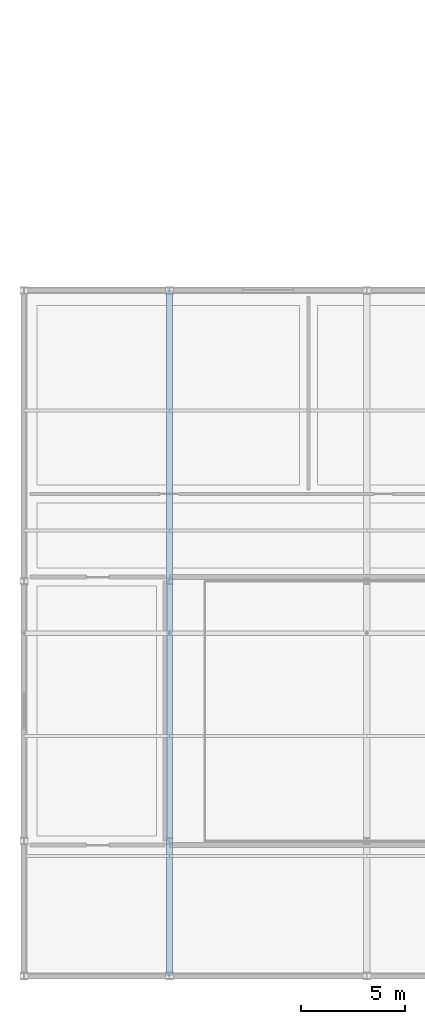
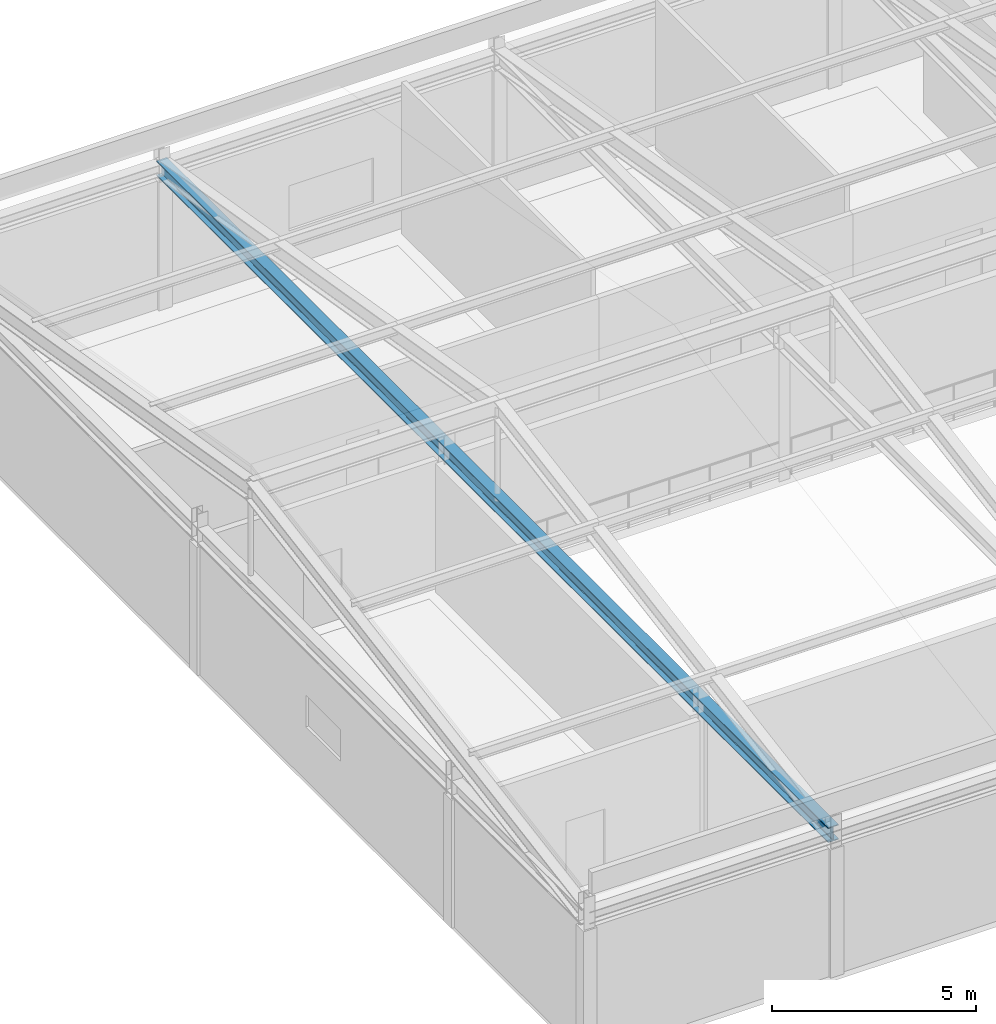
# One storey, part 18 of 108: 1 beam.
"""IFC4 building model written with IfcOpenShell, lengths in metres."""

from ifc_helpers import new_model, si_unit, direction, frame, origin, origin_2d, place, context, subcontext, project, spatial, i_section, extrude, material, material_profile, profile_set, type_object, element, save


model = new_model("IFC4")

# Units and contexts
model_context = context("Model", 3, precision=1e-05, world=origin(), true_north=direction((0.0, 1.0)))
body_context = subcontext(model_context, "Body", "Model", "MODEL_VIEW")
ifc_project = project(units=[si_unit("LENGTHUNIT", "METRE"), si_unit("AREAUNIT", "SQUARE_METRE"), si_unit("VOLUMEUNIT", "CUBIC_METRE"), si_unit("PLANEANGLEUNIT", "RADIAN"), si_unit("MASSUNIT", "GRAM", prefix="KILO")], contexts=[model_context])

# Site, building, storey
site_placement = place(None, origin())
site = spatial("IfcSite", under=ifc_project, at=site_placement, CompositionType="ELEMENT")
building_placement = place(site_placement, origin())
building = spatial("IfcBuilding", under=site, at=building_placement, Name="Tarnveldt Headland Concert Hall", CompositionType="ELEMENT")
storey_placement = place(building_placement, frame((0.0, 0.0, 9.60009765625)))
storey = spatial("IfcBuildingStorey", under=building, at=storey_placement, Name="L02", CompositionType="ELEMENT", Elevation=9.60009765625)

# Beam
ifc_material = material(Name="Steel S355", Category="steel")
ifc_material_profile = material_profile(ifc_material, i_section(OverallWidth=0.300048828125, OverallDepth=0.449951171875, WebThickness=0.013916015625, FlangeThickness=0.02587890625, FilletRadius=0.027099609375, at=origin_2d()), Name="HEB450", Category="steel")
ifc_profile_set = profile_set([ifc_material_profile], Name="Steel S355")
beam_type = type_object("IfcBeamType", Name="SB-HEB450", PredefinedType="BEAM", material=ifc_profile_set)
beam_placement = place(storey_placement, frame((14.5, 5.0, 4.159912109375), z_axis=(0.0, 1.0, 0.0), x_axis=(-1.0, 0.0, 0.0)))
element("IfcBeam", 1, at=beam_placement, inside=storey, type_object=beam_type, Name="ROOF TRUSS Chamber bottom tie 14", PredefinedType="BEAM", context=body_context, shape_type="SweptSolid", body=[
    extrude(i_section(OverallWidth=0.300048828125, OverallDepth=0.449951171875, WebThickness=0.013916015625, FlangeThickness=0.02587890625, FilletRadius=0.027099609375, at=origin_2d()), origin(), (0.0, 0.0, 1.0), 33.0),
])

save(model, "model.ifc")
